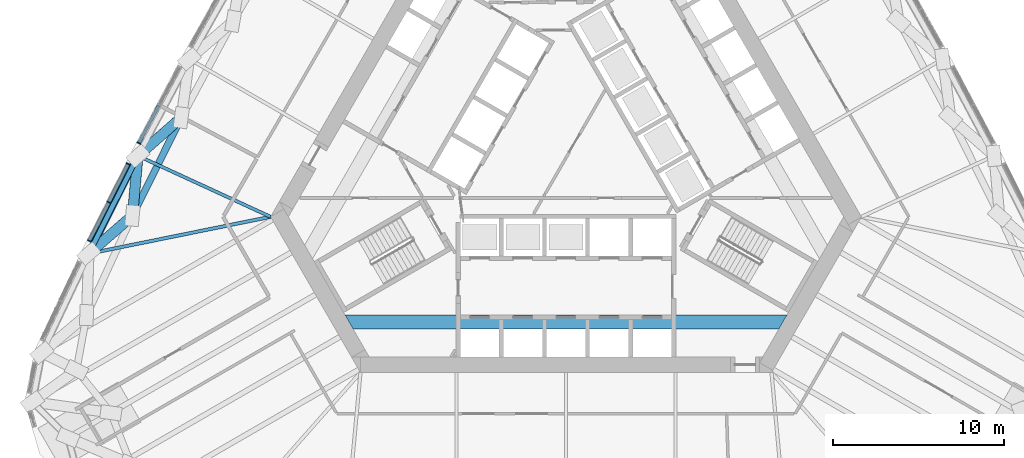
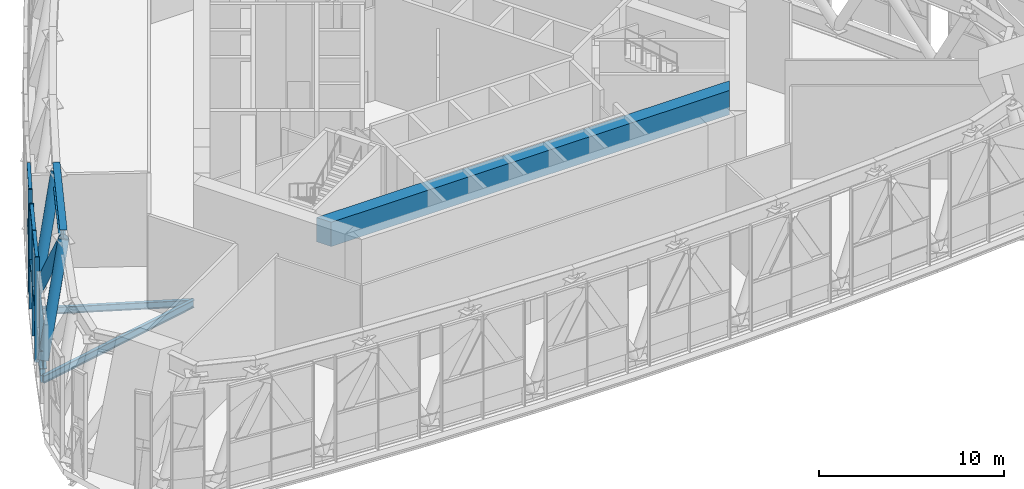
# One storey, part 3 of 33: 15 members, 4 beams, 1 element without a shape of its own.
"""IFC4 building model written with IfcOpenShell, lengths in metres."""

from ifc_helpers import new_model, si_unit, direction, frame, origin, origin_2d, place, context, subcontext, project, spatial, polyline, rectangle, hollow_circle, i_section, outline, extrude, material, material_profile, profile_set, type_object, element, aggregate, save


model = new_model("IFC4")

# Units and contexts
model_context = context("Model", 3, precision=1e-05, world=origin(), true_north=direction((0.0, 1.0)))
body_context = subcontext(model_context, "Body", "Model", "MODEL_VIEW")
ifc_project = project(units=[si_unit("LENGTHUNIT", "METRE"), si_unit("AREAUNIT", "SQUARE_METRE"), si_unit("VOLUMEUNIT", "CUBIC_METRE"), si_unit("PLANEANGLEUNIT", "RADIAN"), si_unit("MASSUNIT", "GRAM", prefix="KILO")], contexts=[model_context])

# Site, building, storey
site_placement = place(None, origin())
site = spatial("IfcSite", under=ifc_project, at=site_placement, CompositionType="ELEMENT")
building_placement = place(site_placement, origin())
building = spatial("IfcBuilding", under=site, at=building_placement, Name="Mestral Congress Tower", CompositionType="ELEMENT")
storey_placement = place(building_placement, frame((0.0, 0.0, 134.39990234375)))
storey = spatial("IfcBuildingStorey", under=building, at=storey_placement, Name="L32", CompositionType="ELEMENT", Elevation=134.39990234375)

# Members
ifc_material_1 = material(Name="Steel S355", Category="steel")
ifc_material_profile_1 = material_profile(ifc_material_1, i_section(OverallWidth=0.39990234375, OverallDepth=1.199951171875, WebThickness=0.02001953125, FlangeThickness=0.0400390625, FilletRadius=0.010009765625, at=origin_2d()), Name="WPG 1200")
ifc_profile_set_1 = profile_set([ifc_material_profile_1], Name="Steel S355")
member_type_1 = type_object("IfcMemberType", Name="Belt chord WPG 1200 S355", PredefinedType="CHORD", material=ifc_profile_set_1)
member_1_placement = place(storey_placement, frame((-25.01220703125, -0.333984375, 0.60009765625), z_axis=(-0.448555936264, -0.893754760571, 0.0), x_axis=(0.893754760571, -0.448555936264, 0.0)))
element("IfcMember", 1, at=member_1_placement, inside=storey, type_object=member_type_1, Name="MB-L32-BC2-W06", PredefinedType="CHORD", context=body_context, shape_type="SweptSolid", body=[
    extrude(i_section(OverallWidth=0.39990234375, OverallDepth=1.199951171875, WebThickness=0.02001953125, FlangeThickness=0.0400390625, FilletRadius=0.010009765625, at=origin_2d()), origin(), (0.0, 0.0, 1.0), 6.399658203125),
])
member_2_placement = place(storey_placement, frame((-22.476318359375, 1.8955078125, 6.35009765625), z_axis=(-0.446252014681, -0.894907335646, 0.0), x_axis=(0.894907335646, -0.446252014681, 0.0)))
element("IfcMember", 2, at=member_2_placement, inside=storey, type_object=member_type_1, Name="MB-L32-TC2-W05", PredefinedType="CHORD", context=body_context, shape_type="SweptSolid", body=[
    extrude(i_section(OverallWidth=0.39990234375, OverallDepth=1.199951171875, WebThickness=0.02001953125, FlangeThickness=0.0400390625, FilletRadius=0.010009765625, at=origin_2d()), origin(), (0.0, 0.0, 1.0), 6.39990234375),
])
ifc_material_profile_2 = material_profile(ifc_material_1, hollow_circle(Radius=0.304931640625, WallThickness=0.02490234375, at=origin_2d()), Name="CHS 610x25")
ifc_profile_set_2 = profile_set([ifc_material_profile_2], Name="Steel S355")
member_type_2 = type_object("IfcMemberType", Name="Belt diagonal CHS 610x25 S355", PredefinedType="BRACE", material=ifc_profile_set_2)
member_3_placement = place(storey_placement, frame((-25.01220703125, -0.333984375, 0.60009765625), z_axis=(0.380300213818, 0.33435078007, 0.862311604489), x_axis=(-0.660279017677, 0.751020385087, 0.0)))
element("IfcMember", 3, at=member_3_placement, inside=storey, type_object=member_type_2, Name="MD-L32-BD2-W06.W05", PredefinedType="BRACE", context=body_context, shape_type="SweptSolid", body=[
    extrude(hollow_circle(Radius=0.304931640625, WallThickness=0.02490234375, at=origin_2d()), origin(), (0.0, 0.0, 1.0), 6.668212890625),
])
member_4_placement = place(storey_placement, frame((-25.01220703125, -0.333984375, 0.60009765625), z_axis=(-0.047502545747, -0.519122023585, 0.853379067459), x_axis=(0.995839476972, -0.09112483802, 0.0)))
element("IfcMember", 4, at=member_4_placement, inside=storey, type_object=member_type_2, Name="MD-L32-BD2-W06.W06", PredefinedType="BRACE", context=body_context, shape_type="SweptSolid", body=[
    extrude(hollow_circle(Radius=0.304931640625, WallThickness=0.02490234375, at=origin_2d()), origin(), (0.0, 0.0, 1.0), 6.738037109375),
])
member_5_placement = place(storey_placement, frame((-27.8828125, -6.0537109375, 0.60009765625), z_axis=(0.382321552248, 0.333062931656, 0.861916071461), x_axis=(-0.656862823729, 0.754010099934, 0.0)))
element("IfcMember", 5, at=member_5_placement, inside=storey, type_object=member_type_2, Name="MD-L32-BD2-W07.W06", PredefinedType="BRACE", context=body_context, shape_type="SweptSolid", body=[
    extrude(hollow_circle(Radius=0.304931640625, WallThickness=0.02490234375, at=origin_2d()), origin(), (0.0, 0.0, 1.0), 6.671142578125),
])

# Beam
ifc_material_2 = material(Name="Concrete C60/75", Category="concrete")
beam_type_1 = type_object("IfcBeamType", Name="Core transfer wall beam RC 800x1600", PredefinedType="BEAM", material=ifc_material_2)
beam_1_placement = place(storey_placement, frame((0.0, 0.0, 5.35009765625)))
element("IfcBeam", 6, at=beam_1_placement, inside=storey, type_object=beam_type_1, Name="L32 core transfer wall beam", PredefinedType="BEAM", context=body_context, shape_type="SweptSolid", body=[
    extrude(outline(polyline([(-12.44189453125, -10.449951171875), (-12.90380859375, -9.64990234375), (12.90380859375, -9.64990234375), (12.44189453125, -10.449951171875), (-12.44189453125, -10.449951171875)])), origin(), (0.0, 0.0, 1.0), 1.60009765625),
])

# Curtain wall, members
ifc_material_3 = material(Name="Clear low-emissivity double glazing", Category="glass")
curtain_wall_type = type_object("IfcCurtainWallType", Name="Facade sky lobby curtain wall", PredefinedType="USERDEFINED", material=ifc_material_3)
curtain_wall_placement = place(storey_placement, origin())
curtain_wall = element("IfcCurtainWall", 7, at=curtain_wall_placement, inside=storey, type_object=curtain_wall_type, Name="Facade sky lobby curtain wall face 3", ObjectType="CURTAIN WALL", PredefinedType="USERDEFINED")
ifc_material_4 = material(Name="Anodised aluminium", Category="aluminium")
ifc_material_profile_3 = material_profile(ifc_material_4, rectangle(XDim=0.25, YDim=0.06005859375, at=origin_2d()), Name="CW1 mullion 250 x 60")
ifc_profile_set_3 = profile_set([ifc_material_profile_3], Name="Anodised aluminium")
member_type_3 = type_object("IfcMemberType", Name="Facade sky lobby curtain wall mullion", PredefinedType="MULLION", material=ifc_profile_set_3)
member_6_placement = place(storey_placement, frame((-24.958251953125, 0.406982421875, 0.0), z_axis=(0.0, 0.0, 1.0), x_axis=(-0.883024602926, 0.469326699248, 0.0)))
member_6 = element("IfcMember", 8, at=member_6_placement, type_object=member_type_3, Name="Facade sky lobby curtain wall mullion", PredefinedType="MULLION", context=body_context, shape_type="SweptSolid", body=[
    extrude(rectangle(XDim=0.25, YDim=0.06005859375, at=origin_2d()), origin(), (0.0, 0.0, 1.0), 6.9501953125),
])
member_7_placement = place(storey_placement, frame((-25.58544921875, -0.806884765625, 0.0), z_axis=(0.0, 0.0, 1.0), x_axis=(-0.893761587201, 0.448542333838, 0.0)))
member_7 = element("IfcMember", 9, at=member_7_placement, type_object=member_type_3, Name="Facade sky lobby curtain wall mullion", PredefinedType="MULLION", context=body_context, shape_type="SweptSolid", body=[
    extrude(rectangle(XDim=0.25, YDim=0.06005859375, at=origin_2d()), origin(), (0.0, 0.0, 1.0), 6.9501953125),
])
member_8_placement = place(storey_placement, frame((-26.7158203125, -3.059326171875, 0.0), z_axis=(0.0, 0.0, 1.0), x_axis=(-0.893761587201, 0.448542333838, 0.0)))
member_8 = element("IfcMember", 10, at=member_8_placement, type_object=member_type_3, Name="Facade sky lobby curtain wall mullion", PredefinedType="MULLION", context=body_context, shape_type="SweptSolid", body=[
    extrude(rectangle(XDim=0.25, YDim=0.06005859375, at=origin_2d()), origin(), (0.0, 0.0, 1.0), 6.9501953125),
])
member_9_placement = place(storey_placement, frame((-27.84619140625, -5.311767578125, 0.0), z_axis=(0.0, 0.0, 1.0), x_axis=(-0.893761587201, 0.448542333838, 0.0)))
member_9 = element("IfcMember", 11, at=member_9_placement, type_object=member_type_3, Name="Facade sky lobby curtain wall mullion", PredefinedType="MULLION", context=body_context, shape_type="SweptSolid", body=[
    extrude(rectangle(XDim=0.25, YDim=0.06005859375, at=origin_2d()), origin(), (0.0, 0.0, 1.0), 6.9501953125),
])
ifc_material_profile_4 = material_profile(ifc_material_4, rectangle(XDim=0.199951171875, YDim=0.139892578125, at=origin_2d()), Name="CW1 transom 200 x 140")
ifc_profile_set_4 = profile_set([ifc_material_profile_4], Name="Anodised aluminium")
member_type_4 = type_object("IfcMemberType", Name="Facade sky lobby curtain wall transom", PredefinedType="USERDEFINED", material=ifc_profile_set_4)
member_10_placement = place(storey_placement, frame((-23.78955078125, 2.60595703125, 3.2001953125), z_axis=(-0.469305174896, -0.883036042762, 0.0), x_axis=(0.883036042762, -0.469305174896, 0.0)))
member_10 = element("IfcMember", 12, at=member_10_placement, type_object=member_type_4, Name="Facade sky lobby curtain wall transom", ObjectType="TRANSOM", PredefinedType="USERDEFINED", context=body_context, shape_type="SweptSolid", body=[
    extrude(rectangle(XDim=0.199951171875, YDim=0.139892578125, at=origin_2d()), origin(), (0.0, 0.0, 1.0), 2.460205078125),
])
member_11_placement = place(storey_placement, frame((-23.78955078125, 2.60595703125, 6.880126953125), z_axis=(-0.469305174896, -0.883036042762, 0.0), x_axis=(0.883036042762, -0.469305174896, 0.0)))
member_11 = element("IfcMember", 13, at=member_11_placement, type_object=member_type_4, Name="Facade sky lobby curtain wall transom", ObjectType="TRANSOM", PredefinedType="USERDEFINED", context=body_context, shape_type="SweptSolid", body=[
    extrude(rectangle(XDim=0.199951171875, YDim=0.139892578125, at=origin_2d()), origin(), (0.0, 0.0, 1.0), 2.460205078125),
])
member_12_placement = place(storey_placement, frame((-25.598876953125, -0.833740234375, 3.2001953125), z_axis=(-0.448562744168, -0.8937513438, 0.0), x_axis=(0.8937513438, -0.448562744168, 0.0)))
member_12 = element("IfcMember", 14, at=member_12_placement, type_object=member_type_4, Name="Facade sky lobby curtain wall transom", ObjectType="TRANSOM", PredefinedType="USERDEFINED", context=body_context, shape_type="SweptSolid", body=[
    extrude(rectangle(XDim=0.199951171875, YDim=0.139892578125, at=origin_2d()), origin(), (0.0, 0.0, 1.0), 2.460205078125),
])
member_13_placement = place(storey_placement, frame((-25.598876953125, -0.833740234375, 6.880126953125), z_axis=(-0.448562744168, -0.8937513438, 0.0), x_axis=(0.8937513438, -0.448562744168, 0.0)))
member_13 = element("IfcMember", 15, at=member_13_placement, type_object=member_type_4, Name="Facade sky lobby curtain wall transom", ObjectType="TRANSOM", PredefinedType="USERDEFINED", context=body_context, shape_type="SweptSolid", body=[
    extrude(rectangle(XDim=0.199951171875, YDim=0.139892578125, at=origin_2d()), origin(), (0.0, 0.0, 1.0), 2.460205078125),
])
member_14_placement = place(storey_placement, frame((-26.729248046875, -3.086181640625, 3.2001953125), z_axis=(-0.448562744168, -0.8937513438, 0.0), x_axis=(0.8937513438, -0.448562744168, 0.0)))
member_14 = element("IfcMember", 16, at=member_14_placement, type_object=member_type_4, Name="Facade sky lobby curtain wall transom", ObjectType="TRANSOM", PredefinedType="USERDEFINED", context=body_context, shape_type="SweptSolid", body=[
    extrude(rectangle(XDim=0.199951171875, YDim=0.139892578125, at=origin_2d()), origin(), (0.0, 0.0, 1.0), 2.460205078125),
])
member_15_placement = place(storey_placement, frame((-26.729248046875, -3.086181640625, 6.880126953125), z_axis=(-0.448562744168, -0.8937513438, 0.0), x_axis=(0.8937513438, -0.448562744168, 0.0)))
member_15 = element("IfcMember", 17, at=member_15_placement, type_object=member_type_4, Name="Facade sky lobby curtain wall transom", ObjectType="TRANSOM", PredefinedType="USERDEFINED", context=body_context, shape_type="SweptSolid", body=[
    extrude(rectangle(XDim=0.199951171875, YDim=0.139892578125, at=origin_2d()), origin(), (0.0, 0.0, 1.0), 2.460205078125),
])
aggregate(curtain_wall, [member_6, member_10, member_11, member_7, member_8, member_9, member_12, member_13, member_14, member_15])

# Beams
ifc_material_profile_5 = material_profile(ifc_material_1, i_section(OverallWidth=0.18994140625, OverallDepth=0.449951171875, WebThickness=0.009521484375, FlangeThickness=0.0146484375, FilletRadius=0.02099609375, at=origin_2d()), Name="IPE 450")
ifc_profile_set_5 = profile_set([ifc_material_profile_5], Name="Steel S355")
beam_type_2 = type_object("IfcBeamType", Name="Floor beam IPE 450 S355", PredefinedType="BEAM", material=ifc_profile_set_5)
beam_2_placement = place(storey_placement, frame((-25.01220703125, -0.333984375, -0.625), z_axis=(0.908439594169, -0.418016152493, 0.0), x_axis=(0.418016152493, 0.908439594169, 0.0)))
element("IfcBeam", 18, at=beam_2_placement, inside=storey, type_object=beam_type_2, Name="BM-L32-RB2-W06", PredefinedType="BEAM", context=body_context, shape_type="SweptSolid", body=[
    extrude(i_section(OverallWidth=0.18994140625, OverallDepth=0.449951171875, WebThickness=0.009521484375, FlangeThickness=0.0146484375, FilletRadius=0.02099609375, at=origin_2d()), origin(), (0.0, 0.0, 1.0), 8.530517578125),
])
ifc_material_profile_6 = material_profile(ifc_material_1, i_section(OverallWidth=0.199951171875, OverallDepth=0.5, WebThickness=0.01025390625, FlangeThickness=0.01611328125, FilletRadius=0.02099609375, at=origin_2d()), Name="IPE 500")
ifc_profile_set_6 = profile_set([ifc_material_profile_6], Name="Steel S355")
beam_type_3 = type_object("IfcBeamType", Name="Floor beam IPE 500 S355", PredefinedType="BEAM", material=ifc_profile_set_6)
beam_3_placement = place(storey_placement, frame((-27.8828125, -6.0537109375, -0.64990234375), z_axis=(0.980048529021, 0.198758347656, 0.0), x_axis=(-0.198758347656, 0.980048529021, 0.0)))
element("IfcBeam", 19, at=beam_3_placement, inside=storey, type_object=beam_type_3, Name="BM-L32-RB2-W07", PredefinedType="BEAM", context=body_context, shape_type="SweptSolid", body=[
    extrude(i_section(OverallWidth=0.199951171875, OverallDepth=0.5, WebThickness=0.01025390625, FlangeThickness=0.01611328125, FilletRadius=0.02099609375, at=origin_2d()), origin(), (0.0, 0.0, 1.0), 10.83642578125),
])
ifc_material_profile_7 = material_profile(ifc_material_1, i_section(OverallWidth=0.300048828125, OverallDepth=0.489990234375, WebThickness=0.011962890625, FlangeThickness=0.02294921875, FilletRadius=0.027099609375, at=origin_2d()), Name="HEA 500")
ifc_profile_set_7 = profile_set([ifc_material_profile_7], Name="Steel S355")
beam_type_4 = type_object("IfcBeamType", Name="Spandrel beam HEA 500 S355", PredefinedType="BEAM", material=ifc_profile_set_7)
beam_4_placement = place(storey_placement, frame((-25.01220703125, -0.333984375, -0.64501953125), z_axis=(-0.448555936264, -0.893754760571, 0.0), x_axis=(0.893754760571, -0.448555936264, 0.0)))
element("IfcBeam", 20, at=beam_4_placement, inside=storey, type_object=beam_type_4, Name="SP-L32-SB2-W06", PredefinedType="BEAM", context=body_context, shape_type="SweptSolid", body=[
    extrude(i_section(OverallWidth=0.300048828125, OverallDepth=0.489990234375, WebThickness=0.011962890625, FlangeThickness=0.02294921875, FilletRadius=0.027099609375, at=origin_2d()), origin(), (0.0, 0.0, 1.0), 6.399658203125),
])

save(model, "model.ifc")
